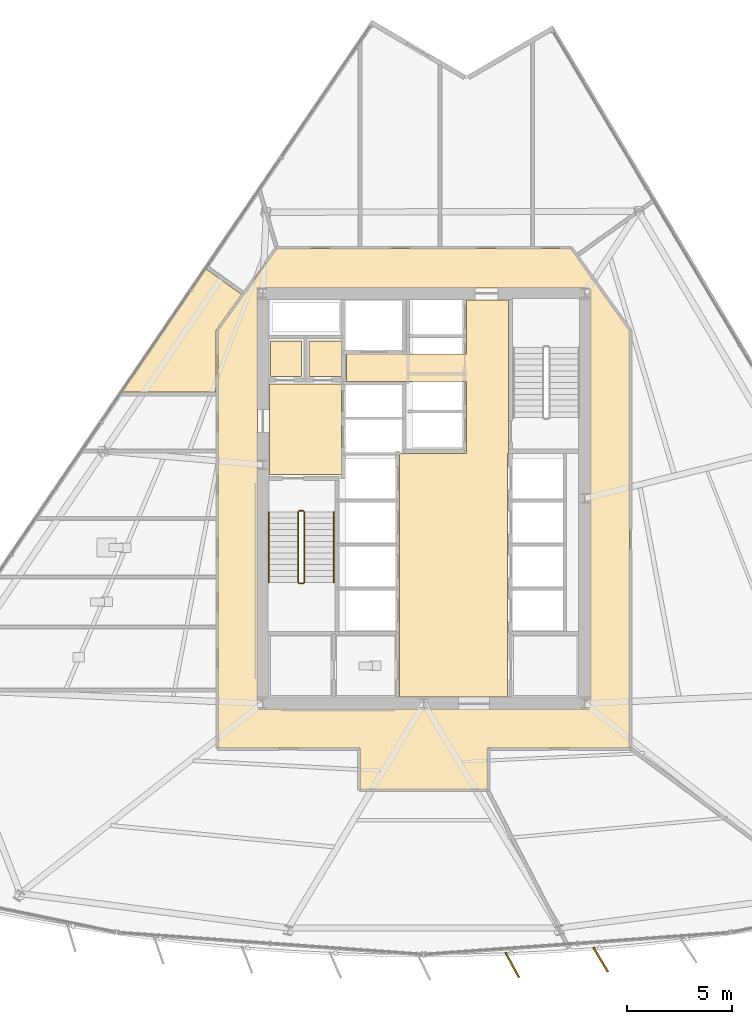
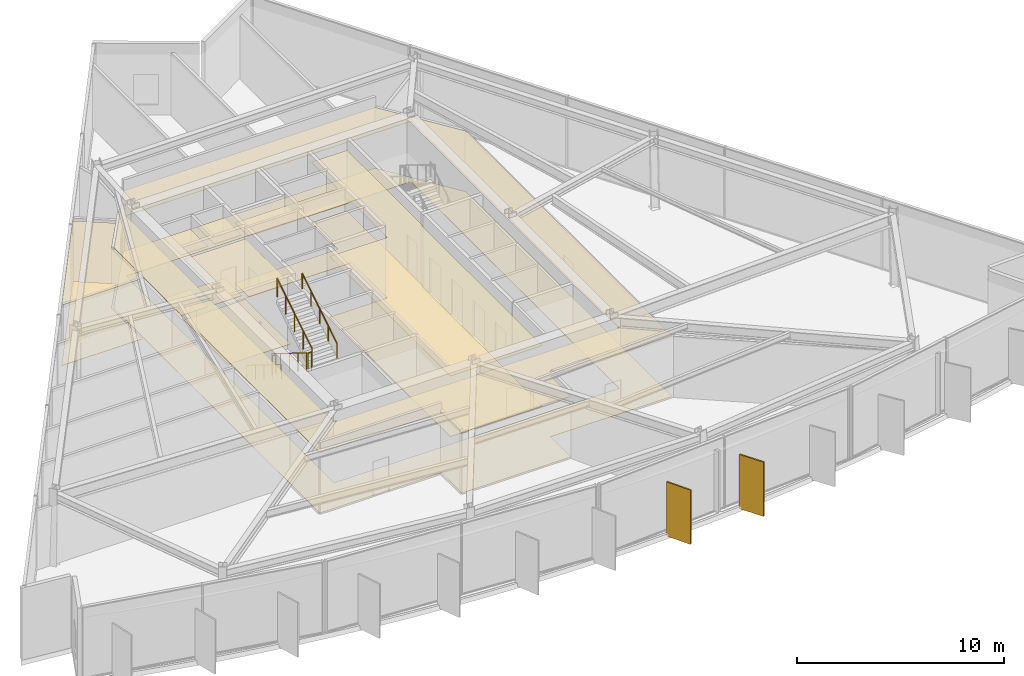
# One storey, part 11 of 14: 12 coverings, 6 railings, 2 shading devices.
"""IFC4 building model written with IfcOpenShell, lengths in metres."""

from ifc_helpers import new_model, si_unit, direction, frame, origin, origin_2d, place, context, subcontext, project, spatial, polyline, rectangle, circle, outline, extrude, material, layer, layer_set, type_object, element, save


model = new_model("IFC4")

# Units and contexts
model_context = context("Model", 3, precision=1e-05, world=origin(), true_north=direction((0.0, 1.0)))
body_context = subcontext(model_context, "Body", "Model", "MODEL_VIEW")
ifc_project = project(units=[si_unit("LENGTHUNIT", "METRE"), si_unit("AREAUNIT", "SQUARE_METRE"), si_unit("VOLUMEUNIT", "CUBIC_METRE"), si_unit("PLANEANGLEUNIT", "RADIAN"), si_unit("MASSUNIT", "GRAM", prefix="KILO")], contexts=[model_context])

# Site, building, storey
site_placement = place(None, origin())
site = spatial("IfcSite", under=ifc_project, at=site_placement, CompositionType="ELEMENT")
building_placement = place(site_placement, origin())
building = spatial("IfcBuilding", under=site, at=building_placement, Name="Savorim Split Tower", CompositionType="ELEMENT")
storey_placement = place(building_placement, frame((0.0, 0.0, 78.0)))
storey = spatial("IfcBuildingStorey", under=building, at=storey_placement, Name="L20", CompositionType="ELEMENT", Elevation=78.0)

# Coverings
ifc_material_1 = material(Name="Mineral Fibre Acoustic Ceiling")
ifc_layer_1 = layer(ifc_material_1, 0.02490234375)
ifc_layer_set_1 = layer_set([ifc_layer_1], Name="COV-CEIL-25")
covering_type_1 = type_object("IfcCoveringType", Name="COV-CEIL-25", PredefinedType="CEILING", material=ifc_layer_set_1)
covering_1_placement = place(storey_placement, frame((0.0, 0.0, 3.570068359375)))
element("IfcCovering", 1, at=covering_1_placement, inside=storey, type_object=covering_type_1, Name="L20 Firefighting Lift Lobby Acoustic Ceiling", PredefinedType="CEILING", context=body_context, shape_type="SweptSolid", body=[
    extrude(outline(polyline([(-7.3798828125, 5.8701171875), (-7.3798828125, 1.530029296875), (-3.929931640625, 1.530029296875), (-3.929931640625, 5.8701171875), (-7.3798828125, 5.8701171875)])), origin(), (0.0, 0.0, 1.0), 0.02490234375),
])
covering_2_placement = place(storey_placement, frame((0.0, 0.0, 3.570068359375)))
element("IfcCovering", 2, at=covering_2_placement, inside=storey, type_object=covering_type_1, Name="L20 Electrical Riser Acoustic Ceiling", PredefinedType="CEILING", context=body_context, shape_type="SweptSolid", body=[
    extrude(outline(polyline([(-7.320068359375, 7.919921875), (-7.320068359375, 6.22998046875), (-5.830078125, 6.22998046875), (-5.830078125, 7.919921875), (-7.320068359375, 7.919921875)])), origin(), (0.0, 0.0, 1.0), 0.02490234375),
])
covering_3_placement = place(storey_placement, frame((0.0, 0.0, 3.570068359375)))
element("IfcCovering", 3, at=covering_3_placement, inside=storey, type_object=covering_type_1, Name="L20 Telecom Riser Acoustic Ceiling", PredefinedType="CEILING", context=body_context, shape_type="SweptSolid", body=[
    extrude(outline(polyline([(-5.469970703125, 7.919921875), (-5.469970703125, 6.22998046875), (-3.929931640625, 6.22998046875), (-3.929931640625, 7.919921875), (-5.469970703125, 7.919921875)])), origin(), (0.0, 0.0, 1.0), 0.02490234375),
])
covering_4_placement = place(storey_placement, frame((0.0, 0.0, 3.570068359375)))
element("IfcCovering", 4, at=covering_4_placement, inside=storey, type_object=covering_type_1, Name="L20 Lift Lobby Acoustic Ceiling", PredefinedType="CEILING", context=body_context, shape_type="SweptSolid", body=[
    extrude(outline(polyline([(2.050048828125, 2.550048828125), (-1.14990234375, 2.550048828125), (-1.14990234375, -9.10009765625), (4.0, -9.10009765625), (4.0, 2.550048828125), (4.050048828125, 2.550048828125), (4.050048828125, 5.97998046875), (4.050048828125, 7.300048828125), (4.050048828125, 9.8798828125), (2.050048828125, 9.8798828125), (2.050048828125, 7.300048828125), (-3.699951171875, 7.300048828125), (-3.699951171875, 5.97998046875), (2.050048828125, 5.97998046875), (2.050048828125, 2.550048828125)])), origin(), (0.0, 0.0, 1.0), 0.02490234375),
])
covering_5_placement = place(storey_placement, frame((0.0, 0.0, 3.570068359375)))
element("IfcCovering", 5, at=covering_5_placement, inside=storey, type_object=covering_type_1, Name="L20 Corridor Acoustic Ceiling", PredefinedType="CEILING", context=body_context, shape_type="SweptSolid", body=[
    extrude(outline(polyline([(7.009521484375, 12.3291015625), (7.004638671875, 12.329833984375), (7.0, 12.330078125), (-7.0, 12.330078125), (-7.004638671875, 12.329833984375), (-7.009521484375, 12.3291015625), (-7.013916015625, 12.327880859375), (-7.0185546875, 12.326416015625), (-7.022705078125, 12.324462890625), (-7.027099609375, 12.322021484375), (-7.03076171875, 12.3193359375), (-7.034423828125, 12.31640625), (-7.03759765625, 12.312744140625), (-7.04052734375, 12.30908203125), (-9.820556640625, 8.42919921875), (-9.823486328125, 8.4248046875), (-9.82568359375, 8.420166015625), (-9.82763671875, 8.415283203125), (-9.828857421875, 8.410400390625), (-9.82958984375, 8.4052734375), (-9.830078125, 8.39990234375), (-9.830078125, -11.47998046875), (-9.829833984375, -11.48486328125), (-9.8291015625, -11.48974609375), (-9.827880859375, -11.494384765625), (-9.826171875, -11.4990234375), (-9.82421875, -11.503662109375), (-9.821533203125, -11.5078125), (-9.818603515625, -11.51171875), (-9.8154296875, -11.515380859375), (-9.811767578125, -11.518798828125), (-9.807861328125, -11.521484375), (-9.8037109375, -11.524169921875), (-9.799072265625, -11.526123046875), (-9.79443359375, -11.52783203125), (-9.789794921875, -11.529052734375), (-9.784912109375, -11.52978515625), (-9.780029296875, -11.530029296875), (-3.050048828125, -11.530029296875), (-3.050048828125, -13.449951171875), (-3.0498046875, -13.454833984375), (-3.049072265625, -13.459716796875), (-3.0478515625, -13.464599609375), (-3.046142578125, -13.468994140625), (-3.044189453125, -13.4736328125), (-3.04150390625, -13.477783203125), (-3.038818359375, -13.481689453125), (-3.035400390625, -13.4853515625), (-3.03173828125, -13.48876953125), (-3.02783203125, -13.49169921875), (-3.023681640625, -13.494140625), (-3.01904296875, -13.49609375), (-3.014404296875, -13.497802734375), (-3.009765625, -13.4990234375), (-3.0048828125, -13.499755859375), (-3.0, -13.5), (3.0, -13.5), (3.0048828125, -13.499755859375), (3.009765625, -13.4990234375), (3.014404296875, -13.497802734375), (3.01904296875, -13.49609375), (3.023681640625, -13.494140625), (3.02783203125, -13.49169921875), (3.03173828125, -13.48876953125), (3.035400390625, -13.4853515625), (3.038818359375, -13.481689453125), (3.04150390625, -13.477783203125), (3.044189453125, -13.4736328125), (3.046142578125, -13.468994140625), (3.0478515625, -13.464599609375), (3.049072265625, -13.459716796875), (3.0498046875, -13.454833984375), (3.050048828125, -13.449951171875), (3.050048828125, -11.530029296875), (9.780029296875, -11.530029296875), (9.784912109375, -11.52978515625), (9.789794921875, -11.529052734375), (9.79443359375, -11.52783203125), (9.799072265625, -11.526123046875), (9.8037109375, -11.524169921875), (9.807861328125, -11.521484375), (9.811767578125, -11.518798828125), (9.8154296875, -11.515380859375), (9.818603515625, -11.51171875), (9.821533203125, -11.5078125), (9.82421875, -11.503662109375), (9.826171875, -11.4990234375), (9.827880859375, -11.494384765625), (9.8291015625, -11.48974609375), (9.829833984375, -11.48486328125), (9.830078125, -11.47998046875), (9.830078125, 8.39990234375), (9.82958984375, 8.4052734375), (9.828857421875, 8.410400390625), (9.82763671875, 8.415283203125), (9.82568359375, 8.420166015625), (9.823486328125, 8.4248046875), (9.820556640625, 8.42919921875), (7.04052734375, 12.30908203125), (7.03759765625, 12.312744140625), (7.034423828125, 12.31640625), (7.03076171875, 12.3193359375), (7.027099609375, 12.322021484375), (7.022705078125, 12.324462890625), (7.0185546875, 12.326416015625), (7.013916015625, 12.327880859375), (7.009521484375, 12.3291015625)]), holes=[polyline([(-7.949951171875, 10.449951171875), (-7.949951171875, -9.64990234375), (7.949951171875, -9.64990234375), (7.949951171875, 10.449951171875), (-7.949951171875, 10.449951171875)])]), origin(), (0.0, 0.0, 1.0), 0.02490234375),
])
covering_6_placement = place(storey_placement, frame((0.0, 0.0, 3.570068359375)))
element("IfcCovering", 6, at=covering_6_placement, inside=storey, type_object=covering_type_1, Name="L20 Quiet Study Room Acoustic Ceiling", PredefinedType="CEILING", context=body_context, shape_type="SweptSolid", body=[
    extrude(outline(polyline([(-9.908203125, 8.456298828125), (-9.901611328125, 8.46923828125), (-9.893798828125, 8.4814453125), (-8.705810546875, 10.139892578125), (-10.419921875, 11.367919921875), (-14.43310546875, 5.468505859375), (-9.919921875, 5.468505859375), (-9.919921875, 8.39990234375), (-9.919189453125, 8.41455078125), (-9.9169921875, 8.4287109375), (-9.913330078125, 8.44287109375), (-9.908203125, 8.456298828125)])), origin(), (0.0, 0.0, 1.0), 0.02490234375),
])
ifc_material_2 = material(Name="Porcelain Stoneware Flooring", Category="masonry")
ifc_layer_2 = layer(ifc_material_2, 0.02001953125)
ifc_layer_set_2 = layer_set([ifc_layer_2], Name="COV-FLOR-20")
covering_type_2 = type_object("IfcCoveringType", Name="COV-FLOR-20", PredefinedType="FLOORING", material=ifc_layer_set_2)
covering_7_placement = place(storey_placement, origin())
element("IfcCovering", 7, at=covering_7_placement, inside=storey, type_object=covering_type_2, Name="L20 Firefighting Lift Lobby Porcelain Flooring", PredefinedType="FLOORING", context=body_context, shape_type="SweptSolid", body=[
    extrude(outline(polyline([(-7.3798828125, 5.8701171875), (-7.3798828125, 1.530029296875), (-3.929931640625, 1.530029296875), (-3.929931640625, 5.8701171875), (-7.3798828125, 5.8701171875)])), origin(), (0.0, 0.0, 1.0), 0.02001953125),
])
covering_8_placement = place(storey_placement, origin())
element("IfcCovering", 8, at=covering_8_placement, inside=storey, type_object=covering_type_2, Name="L20 Electrical Riser Porcelain Flooring", PredefinedType="FLOORING", context=body_context, shape_type="SweptSolid", body=[
    extrude(outline(polyline([(-7.320068359375, 7.919921875), (-7.320068359375, 6.22998046875), (-5.830078125, 6.22998046875), (-5.830078125, 7.919921875), (-7.320068359375, 7.919921875)])), origin(), (0.0, 0.0, 1.0), 0.02001953125),
])
covering_9_placement = place(storey_placement, origin())
element("IfcCovering", 9, at=covering_9_placement, inside=storey, type_object=covering_type_2, Name="L20 Telecom Riser Porcelain Flooring", PredefinedType="FLOORING", context=body_context, shape_type="SweptSolid", body=[
    extrude(outline(polyline([(-5.469970703125, 7.919921875), (-5.469970703125, 6.22998046875), (-3.929931640625, 6.22998046875), (-3.929931640625, 7.919921875), (-5.469970703125, 7.919921875)])), origin(), (0.0, 0.0, 1.0), 0.02001953125),
])
covering_10_placement = place(storey_placement, origin())
element("IfcCovering", 10, at=covering_10_placement, inside=storey, type_object=covering_type_2, Name="L20 Lift Lobby Porcelain Flooring", PredefinedType="FLOORING", context=body_context, shape_type="SweptSolid", body=[
    extrude(outline(polyline([(2.050048828125, 2.550048828125), (-1.14990234375, 2.550048828125), (-1.14990234375, -9.10009765625), (4.0, -9.10009765625), (4.0, 2.550048828125), (4.050048828125, 2.550048828125), (4.050048828125, 5.97998046875), (4.050048828125, 7.300048828125), (4.050048828125, 9.8798828125), (2.050048828125, 9.8798828125), (2.050048828125, 7.300048828125), (-3.699951171875, 7.300048828125), (-3.699951171875, 5.97998046875), (2.050048828125, 5.97998046875), (2.050048828125, 2.550048828125)])), origin(), (0.0, 0.0, 1.0), 0.02001953125),
])
covering_11_placement = place(storey_placement, origin())
element("IfcCovering", 11, at=covering_11_placement, inside=storey, type_object=covering_type_2, Name="L20 Corridor Porcelain Flooring", PredefinedType="FLOORING", context=body_context, shape_type="SweptSolid", body=[
    extrude(outline(polyline([(7.009521484375, 12.3291015625), (7.004638671875, 12.329833984375), (7.0, 12.330078125), (-7.0, 12.330078125), (-7.004638671875, 12.329833984375), (-7.009521484375, 12.3291015625), (-7.013916015625, 12.327880859375), (-7.0185546875, 12.326416015625), (-7.022705078125, 12.324462890625), (-7.027099609375, 12.322021484375), (-7.03076171875, 12.3193359375), (-7.034423828125, 12.31640625), (-7.03759765625, 12.312744140625), (-7.04052734375, 12.30908203125), (-9.820556640625, 8.42919921875), (-9.823486328125, 8.4248046875), (-9.82568359375, 8.420166015625), (-9.82763671875, 8.415283203125), (-9.828857421875, 8.410400390625), (-9.82958984375, 8.4052734375), (-9.830078125, 8.39990234375), (-9.830078125, -11.47998046875), (-9.829833984375, -11.48486328125), (-9.8291015625, -11.48974609375), (-9.827880859375, -11.494384765625), (-9.826171875, -11.4990234375), (-9.82421875, -11.503662109375), (-9.821533203125, -11.5078125), (-9.818603515625, -11.51171875), (-9.8154296875, -11.515380859375), (-9.811767578125, -11.518798828125), (-9.807861328125, -11.521484375), (-9.8037109375, -11.524169921875), (-9.799072265625, -11.526123046875), (-9.79443359375, -11.52783203125), (-9.789794921875, -11.529052734375), (-9.784912109375, -11.52978515625), (-9.780029296875, -11.530029296875), (-3.050048828125, -11.530029296875), (-3.050048828125, -13.449951171875), (-3.0498046875, -13.454833984375), (-3.049072265625, -13.459716796875), (-3.0478515625, -13.464599609375), (-3.046142578125, -13.468994140625), (-3.044189453125, -13.4736328125), (-3.04150390625, -13.477783203125), (-3.038818359375, -13.481689453125), (-3.035400390625, -13.4853515625), (-3.03173828125, -13.48876953125), (-3.02783203125, -13.49169921875), (-3.023681640625, -13.494140625), (-3.01904296875, -13.49609375), (-3.014404296875, -13.497802734375), (-3.009765625, -13.4990234375), (-3.0048828125, -13.499755859375), (-3.0, -13.5), (3.0, -13.5), (3.0048828125, -13.499755859375), (3.009765625, -13.4990234375), (3.014404296875, -13.497802734375), (3.01904296875, -13.49609375), (3.023681640625, -13.494140625), (3.02783203125, -13.49169921875), (3.03173828125, -13.48876953125), (3.035400390625, -13.4853515625), (3.038818359375, -13.481689453125), (3.04150390625, -13.477783203125), (3.044189453125, -13.4736328125), (3.046142578125, -13.468994140625), (3.0478515625, -13.464599609375), (3.049072265625, -13.459716796875), (3.0498046875, -13.454833984375), (3.050048828125, -13.449951171875), (3.050048828125, -11.530029296875), (9.780029296875, -11.530029296875), (9.784912109375, -11.52978515625), (9.789794921875, -11.529052734375), (9.79443359375, -11.52783203125), (9.799072265625, -11.526123046875), (9.8037109375, -11.524169921875), (9.807861328125, -11.521484375), (9.811767578125, -11.518798828125), (9.8154296875, -11.515380859375), (9.818603515625, -11.51171875), (9.821533203125, -11.5078125), (9.82421875, -11.503662109375), (9.826171875, -11.4990234375), (9.827880859375, -11.494384765625), (9.8291015625, -11.48974609375), (9.829833984375, -11.48486328125), (9.830078125, -11.47998046875), (9.830078125, 8.39990234375), (9.82958984375, 8.4052734375), (9.828857421875, 8.410400390625), (9.82763671875, 8.415283203125), (9.82568359375, 8.420166015625), (9.823486328125, 8.4248046875), (9.820556640625, 8.42919921875), (7.04052734375, 12.30908203125), (7.03759765625, 12.312744140625), (7.034423828125, 12.31640625), (7.03076171875, 12.3193359375), (7.027099609375, 12.322021484375), (7.022705078125, 12.324462890625), (7.0185546875, 12.326416015625), (7.013916015625, 12.327880859375), (7.009521484375, 12.3291015625)]), holes=[polyline([(-7.949951171875, 10.449951171875), (-7.949951171875, -9.64990234375), (7.949951171875, -9.64990234375), (7.949951171875, 10.449951171875), (-7.949951171875, 10.449951171875)])]), origin(), (0.0, 0.0, 1.0), 0.02001953125),
])
covering_12_placement = place(storey_placement, origin())
element("IfcCovering", 12, at=covering_12_placement, inside=storey, type_object=covering_type_2, Name="L20 Quiet Study Room Porcelain Flooring", PredefinedType="FLOORING", context=body_context, shape_type="SweptSolid", body=[
    extrude(outline(polyline([(-9.908203125, 8.456298828125), (-9.901611328125, 8.46923828125), (-9.893798828125, 8.4814453125), (-8.705810546875, 10.139892578125), (-10.419921875, 11.367919921875), (-14.43310546875, 5.468505859375), (-9.919921875, 5.468505859375), (-9.919921875, 8.39990234375), (-9.919189453125, 8.41455078125), (-9.9169921875, 8.4287109375), (-9.913330078125, 8.44287109375), (-9.908203125, 8.456298828125)])), origin(), (0.0, 0.0, 1.0), 0.02001953125),
])

# Railings
ifc_material_3 = material(Name="Galvanised Painted Steel Balustrade", Category="steel")
railing_type_1 = type_object("IfcRailingType", Name="RLG-HR-900", PredefinedType="HANDRAIL", material=ifc_material_3)
railing_1_placement = place(storey_placement, frame((-7.39990234375, -0.25, 0.173095703125)))
element("IfcRailing", 13, at=railing_1_placement, inside=storey, type_object=railing_type_1, Name="L20 ST-1 stair handrail 1", PredefinedType="HANDRAIL", context=body_context, shape_type="SweptSolid", body=[
    extrude(circle(Radius=0.02392578125, at=origin_2d()), frame((0.0, 0.0, 0.8759765625), z_axis=(0.0, -0.850623216509, 0.525775754039), x_axis=(1.0, 0.0, 0.0)), (0.0, 0.0, 1.0), 3.9501953125),
    extrude(circle(Radius=0.02099609375, at=origin_2d()), origin(), (0.0, 0.0, 1.0), 0.851806640625),
    extrude(circle(Radius=0.02099609375, at=origin_2d()), frame((0.0, -0.840087890625, 0.519287109375)), (0.0, 0.0, 1.0), 0.851806640625),
    extrude(circle(Radius=0.02099609375, at=origin_2d()), frame((0.0, -1.68017578125, 1.03857421875)), (0.0, 0.0, 1.0), 0.851806640625),
    extrude(circle(Radius=0.02099609375, at=origin_2d()), frame((0.0, -2.52001953125, 1.5576171875)), (0.0, 0.0, 1.0), 0.851806640625),
    extrude(circle(Radius=0.02099609375, at=origin_2d()), frame((0.0, -3.360107421875, 2.076904296875)), (0.0, 0.0, 1.0), 0.851806640625),
])
railing_2_placement = place(storey_placement, frame((-4.300048828125, -3.610107421875, 2.423095703125)))
element("IfcRailing", 14, at=railing_2_placement, inside=storey, type_object=railing_type_1, Name="L20 ST-1 stair handrail 2", PredefinedType="HANDRAIL", context=body_context, shape_type="SweptSolid", body=[
    extrude(circle(Radius=0.02392578125, at=origin_2d()), frame((0.0, 0.0, 0.8759765625), z_axis=(0.0, 0.850623216509, 0.525775754039), x_axis=(-1.0, 0.0, 0.0)), (0.0, 0.0, 1.0), 3.9501953125),
    extrude(circle(Radius=0.02099609375, at=origin_2d()), origin(), (0.0, 0.0, 1.0), 0.851806640625),
    extrude(circle(Radius=0.02099609375, at=origin_2d()), frame((0.0, 0.840087890625, 0.519287109375)), (0.0, 0.0, 1.0), 0.851806640625),
    extrude(circle(Radius=0.02099609375, at=origin_2d()), frame((0.0, 1.68017578125, 1.03857421875)), (0.0, 0.0, 1.0), 0.851806640625),
    extrude(circle(Radius=0.02099609375, at=origin_2d()), frame((0.0, 2.52001953125, 1.5576171875)), (0.0, 0.0, 1.0), 0.851806640625),
    extrude(circle(Radius=0.02099609375, at=origin_2d()), frame((0.0, 3.360107421875, 2.076904296875)), (0.0, 0.0, 1.0), 0.851806640625),
])
railing_type_2 = type_object("IfcRailingType", Name="RLG-STG-1100", PredefinedType="BALUSTRADE", material=ifc_material_3)
railing_3_placement = place(storey_placement, frame((-6.0, -0.25, 0.173095703125)))
element("IfcRailing", 15, at=railing_3_placement, inside=storey, type_object=railing_type_2, Name="L20 ST-1 stair guard 1", PredefinedType="BALUSTRADE", context=body_context, shape_type="SweptSolid", body=[
    extrude(circle(Radius=0.02392578125, at=origin_2d()), frame((0.0, 0.0, 1.076171875), z_axis=(0.0, -0.850623216509, 0.525775754039), x_axis=(1.0, 0.0, 0.0)), (0.0, 0.0, 1.0), 3.9501953125),
    extrude(circle(Radius=0.02099609375, at=origin_2d()), origin(), (0.0, 0.0, 1.0), 1.052001953125),
    extrude(circle(Radius=0.02099609375, at=origin_2d()), frame((0.0, -0.840087890625, 0.519287109375)), (0.0, 0.0, 1.0), 1.052001953125),
    extrude(circle(Radius=0.02099609375, at=origin_2d()), frame((0.0, -1.68017578125, 1.03857421875)), (0.0, 0.0, 1.0), 1.052001953125),
    extrude(circle(Radius=0.02099609375, at=origin_2d()), frame((0.0, -2.52001953125, 1.5576171875)), (0.0, 0.0, 1.0), 1.052001953125),
    extrude(circle(Radius=0.02099609375, at=origin_2d()), frame((0.0, -3.360107421875, 2.076904296875)), (0.0, 0.0, 1.0), 1.052001953125),
])
railing_4_placement = place(storey_placement, frame((-5.949951171875, -3.659912109375, 2.25)))
element("IfcRailing", 16, at=railing_4_placement, inside=storey, type_object=railing_type_2, Name="L20 ST-1 stair guard 2", PredefinedType="BALUSTRADE", context=body_context, shape_type="SweptSolid", body=[
    extrude(circle(Radius=0.02392578125, at=origin_2d()), frame((0.0, 0.0, 1.076171875), z_axis=(1.0, 0.0, 0.0), x_axis=(0.0, 1.0, 0.0)), (0.0, 0.0, 1.0), 0.199951171875),
    extrude(circle(Radius=0.02099609375, at=origin_2d()), origin(), (0.0, 0.0, 1.0), 1.052001953125),
    extrude(circle(Radius=0.02099609375, at=origin_2d()), frame((0.199951171875, 0.0, 0.0)), (0.0, 0.0, 1.0), 1.052001953125),
])
railing_5_placement = place(storey_placement, frame((-5.699951171875, -3.610107421875, 2.423095703125)))
element("IfcRailing", 17, at=railing_5_placement, inside=storey, type_object=railing_type_2, Name="L20 ST-1 stair guard 3", PredefinedType="BALUSTRADE", context=body_context, shape_type="SweptSolid", body=[
    extrude(circle(Radius=0.02392578125, at=origin_2d()), frame((0.0, 0.0, 1.076171875), z_axis=(0.0, 0.850623216509, 0.525775754039), x_axis=(-1.0, 0.0, 0.0)), (0.0, 0.0, 1.0), 3.9501953125),
    extrude(circle(Radius=0.02099609375, at=origin_2d()), origin(), (0.0, 0.0, 1.0), 1.052001953125),
    extrude(circle(Radius=0.02099609375, at=origin_2d()), frame((0.0, 0.840087890625, 0.519287109375)), (0.0, 0.0, 1.0), 1.052001953125),
    extrude(circle(Radius=0.02099609375, at=origin_2d()), frame((0.0, 1.68017578125, 1.03857421875)), (0.0, 0.0, 1.0), 1.052001953125),
    extrude(circle(Radius=0.02099609375, at=origin_2d()), frame((0.0, 2.52001953125, 1.5576171875)), (0.0, 0.0, 1.0), 1.052001953125),
    extrude(circle(Radius=0.02099609375, at=origin_2d()), frame((0.0, 3.360107421875, 2.076904296875)), (0.0, 0.0, 1.0), 1.052001953125),
])
railing_6_placement = place(storey_placement, frame((-5.949951171875, -0.199951171875, 0.0)))
element("IfcRailing", 18, at=railing_6_placement, inside=storey, type_object=railing_type_2, Name="L20 ST-1 stair guard 4", PredefinedType="BALUSTRADE", context=body_context, shape_type="SweptSolid", body=[
    extrude(circle(Radius=0.02392578125, at=origin_2d()), frame((0.0, 0.0, 1.076171875), z_axis=(1.0, 0.0, 0.0), x_axis=(0.0, 1.0, 0.0)), (0.0, 0.0, 1.0), 0.199951171875),
    extrude(circle(Radius=0.02099609375, at=origin_2d()), origin(), (0.0, 0.0, 1.0), 1.052001953125),
    extrude(circle(Radius=0.02099609375, at=origin_2d()), frame((0.199951171875, 0.0, 0.0)), (0.0, 0.0, 1.0), 1.052001953125),
])

# Shading devices
ifc_material_4 = material(Name="Terracotta Ceramic-Coated Aluminium Fin", Category="masonry")
shading_device_type = type_object("IfcShadingDeviceType", Name="SHD-FIN-1360", PredefinedType="USERDEFINED", material=ifc_material_4)
for number, where, z_axis, x_axis, name in (
    (19, (4.227294921875, -21.890380859375, -0.2001953125), (0.0, 0.0, 1.0), (0.474778051978, -0.880105562623, 0.0), "L20 Sawtooth Shading Fin 08"),
    (20, (8.447509765625, -21.630859375, -0.2001953125), (0.0, 0.0, 1.0), (0.510391336723, -0.859942255851, 0.0), "L20 Sawtooth Shading Fin 09"),
):
    element("IfcShadingDevice", number, at=place(storey_placement, frame(where, z_axis=z_axis, x_axis=x_axis)), inside=storey, type_object=shading_device_type, Name=name, ObjectType="FIN", PredefinedType="USERDEFINED", context=body_context, shape_type="SweptSolid", body=[
        extrude(rectangle(XDim=1.360107421875, YDim=0.080078125, at=origin_2d()), origin(), (0.0, 0.0, 1.0), 3.199951171875),
    ])

save(model, "model.ifc")
